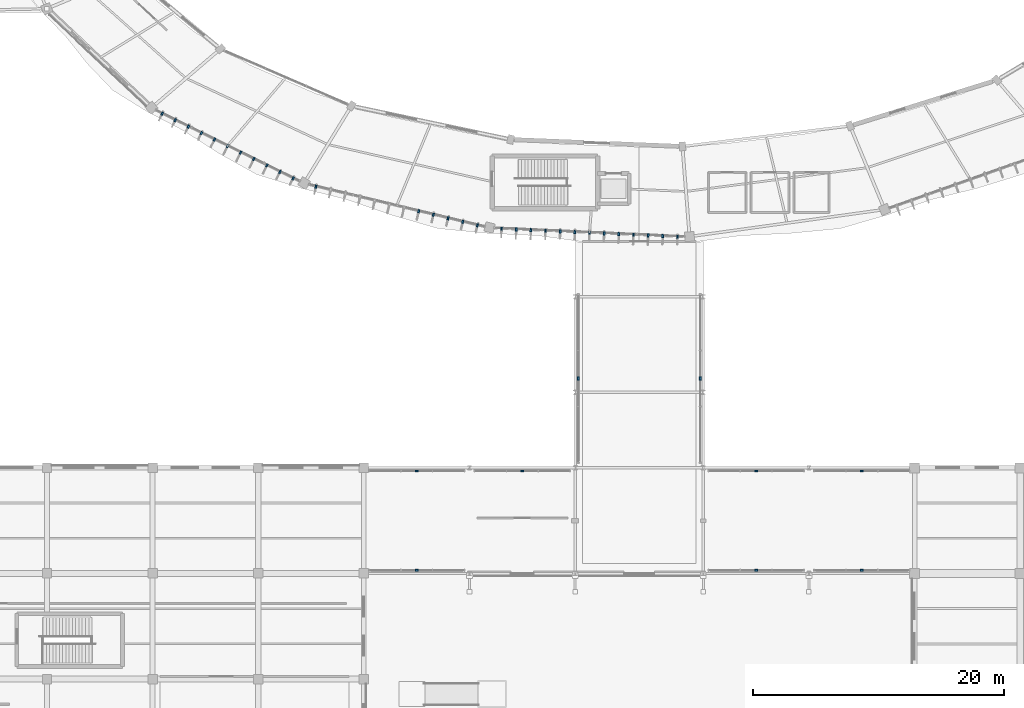
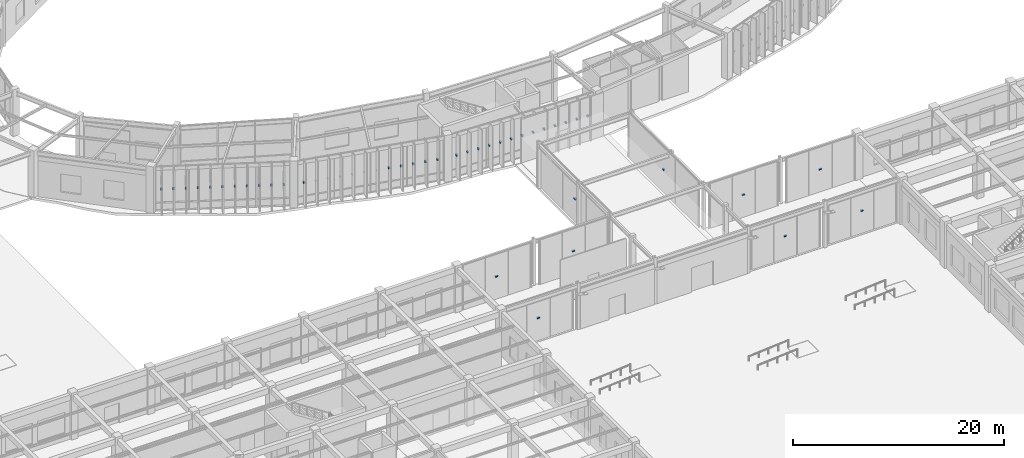
# One storey, part 138 of 157: 39 discrete accessories.
"""IFC4 building model written with IfcOpenShell, lengths in metres."""

from ifc_helpers import new_model, si_unit, direction, frame, origin, origin_2d, place, context, subcontext, project, spatial, rectangle, extrude, material, type_object, element, save


model = new_model("IFC4")

# Units and contexts
model_context = context("Model", 3, precision=1e-05, world=origin(), true_north=direction((0.0, 1.0)))
body_context = subcontext(model_context, "Body", "Model", "MODEL_VIEW")
ifc_project = project(units=[si_unit("LENGTHUNIT", "METRE"), si_unit("AREAUNIT", "SQUARE_METRE"), si_unit("VOLUMEUNIT", "CUBIC_METRE"), si_unit("PLANEANGLEUNIT", "RADIAN"), si_unit("MASSUNIT", "GRAM", prefix="KILO"), si_unit("THERMODYNAMICTEMPERATUREUNIT", "KELVIN"), si_unit("POWERUNIT", "WATT")], contexts=[model_context])

# Site, building, storey
site_placement = place(None, origin())
site = spatial("IfcSite", under=ifc_project, at=site_placement, CompositionType="ELEMENT")
building_placement = place(site_placement, origin())
building = spatial("IfcBuilding", under=site, at=building_placement, Name="Darbajah Civic Hall", CompositionType="ELEMENT")
storey_placement = place(building_placement, origin())
storey = spatial("IfcBuildingStorey", under=building, at=storey_placement, Name="L00", CompositionType="ELEMENT", Elevation=0.0)

# Discrete accessories
ifc_material = material(Name="Stainless Steel S355JR", Category="steel")
discrete_accessory_type = type_object("IfcDiscreteAccessoryType", Name="Stainless Facade Support Bracket", PredefinedType="BRACKET", material=ifc_material)
for number, where, z_axis, x_axis, name in (
    (1, (51.151611328125, 70.1630859375, 2.490234375), (0.0, 0.0, 1.0), (-0.442914717678, -0.89656374724, 0.0), "L00 shading fin bracket 12-1"),
    (2, (52.193115234375, 69.648681640625, 2.490234375), (0.0, 0.0, 1.0), (-0.442914717678, -0.89656374724, 0.0), "L00 shading fin bracket 12-2"),
    (3, (53.234619140625, 69.134033203125, 2.490234375), (0.0, 0.0, 1.0), (-0.442914717678, -0.89656374724, 0.0), "L00 shading fin bracket 12-3"),
    (4, (54.276123046875, 68.619384765625, 2.490234375), (0.0, 0.0, 1.0), (-0.442914717678, -0.89656374724, 0.0), "L00 shading fin bracket 12-4"),
    (5, (55.31787109375, 68.10498046875, 2.490234375), (0.0, 0.0, 1.0), (-0.442914717678, -0.89656374724, 0.0), "L00 shading fin bracket 12-5"),
    (6, (56.359375, 67.59033203125, 2.490234375), (0.0, 0.0, 1.0), (-0.442914717678, -0.89656374724, 0.0), "L00 shading fin bracket 12-6"),
    (7, (57.40087890625, 67.07568359375, 2.490234375), (0.0, 0.0, 1.0), (-0.442914717678, -0.89656374724, 0.0), "L00 shading fin bracket 12-7"),
    (8, (58.4423828125, 66.561279296875, 2.490234375), (0.0, 0.0, 1.0), (-0.442914717678, -0.89656374724, 0.0), "L00 shading fin bracket 12-8"),
    (9, (59.484130859375, 66.046630859375, 2.490234375), (0.0, 0.0, 1.0), (-0.442914717678, -0.89656374724, 0.0), "L00 shading fin bracket 12-9"),
    (10, (60.525634765625, 65.5322265625, 2.490234375), (0.0, 0.0, 1.0), (-0.442914717678, -0.89656374724, 0.0), "L00 shading fin bracket 12-10"),
    (11, (61.567138671875, 65.017578125, 2.490234375), (0.0, 0.0, 1.0), (-0.442914717678, -0.89656374724, 0.0), "L00 shading fin bracket 12-11"),
    (12, (63.388916015625, 64.361083984375, 2.490234375), (0.0, 0.0, 1.0), (-0.232936200179, -0.972492018808, 0.0), "L00 shading fin bracket 13-1"),
    (13, (71.560546875, 62.4033203125, 2.490234375), (0.0, 0.0, 1.0), (-0.232936200179, -0.972492018808, 0.0), "L00 shading fin bracket 13-8"),
    (14, (72.727783203125, 62.12353515625, 2.490234375), (0.0, 0.0, 1.0), (-0.232936200179, -0.972492018808, 0.0), "L00 shading fin bracket 13-9"),
    (15, (73.895263671875, 61.84375, 2.490234375), (0.0, 0.0, 1.0), (-0.232936200179, -0.972492018808, 0.0), "L00 shading fin bracket 13-10"),
    (16, (75.062744140625, 61.564208984375, 2.490234375), (0.0, 0.0, 1.0), (-0.232936200179, -0.972492018808, 0.0), "L00 shading fin bracket 13-11"),
    (17, (76.22998046875, 61.284423828125, 2.490234375), (0.0, 0.0, 1.0), (-0.232936200179, -0.972492018808, 0.0), "L00 shading fin bracket 13-12"),
    (18, (78.15087890625, 61.011474609375, 2.490234375), (0.0, 0.0, 1.0), (-0.045537340693, -0.998962637241, 0.0), "L00 shading fin bracket 14-1"),
    (19, (79.316650390625, 60.95849609375, 2.490234375), (0.0, 0.0, 1.0), (-0.045537340693, -0.998962637241, 0.0), "L00 shading fin bracket 14-2"),
    (20, (80.482421875, 60.905517578125, 2.490234375), (0.0, 0.0, 1.0), (-0.045537340693, -0.998962637241, 0.0), "L00 shading fin bracket 14-3"),
    (21, (81.648193359375, 60.852294921875, 2.490234375), (0.0, 0.0, 1.0), (-0.045537340693, -0.998962637241, 0.0), "L00 shading fin bracket 14-4"),
    (22, (82.813720703125, 60.79931640625, 2.490234375), (0.0, 0.0, 1.0), (-0.045537340693, -0.998962637241, 0.0), "L00 shading fin bracket 14-5"),
    (23, (83.9794921875, 60.74609375, 2.490234375), (0.0, 0.0, 1.0), (-0.045537340693, -0.998962637241, 0.0), "L00 shading fin bracket 14-6"),
    (24, (85.14501953125, 60.693115234375, 2.490234375), (0.0, 0.0, 1.0), (-0.045537340693, -0.998962637241, 0.0), "L00 shading fin bracket 14-7"),
    (25, (86.310791015625, 60.639892578125, 2.490234375), (0.0, 0.0, 1.0), (-0.045537340693, -0.998962637241, 0.0), "L00 shading fin bracket 14-8"),
    (26, (87.4765625, 60.5869140625, 2.490234375), (0.0, 0.0, 1.0), (-0.045537340693, -0.998962637241, 0.0), "L00 shading fin bracket 14-9"),
    (27, (88.64208984375, 60.53369140625, 2.490234375), (0.0, 0.0, 1.0), (-0.045537340693, -0.998962637241, 0.0), "L00 shading fin bracket 14-10"),
    (28, (89.807861328125, 60.480712890625, 2.490234375), (0.0, 0.0, 1.0), (-0.045537340693, -0.998962637241, 0.0), "L00 shading fin bracket 14-11"),
    (29, (90.973388671875, 60.427734375, 2.490234375), (0.0, 0.0, 1.0), (-0.045537340693, -0.998962637241, 0.0), "L00 shading fin bracket 14-12"),
    (30, (92.13916015625, 60.37451171875, 2.490234375), (0.0, 0.0, 1.0), (-0.045537340693, -0.998962637241, 0.0), "L00 shading fin bracket 14-13"),
    (31, (71.39990234375, 33.85009765625, 2.51025390625), (0.0, 0.0, 1.0), (1.0, 0.0, 0.0), "L00 jali screen bracket SW-S"),
    (32, (71.39990234375, 41.75, 2.51025390625), (0.0, 0.0, 1.0), (1.0, 0.0, 0.0), "L00 jali screen bracket SW-N"),
    (33, (79.800048828125, 41.75, 2.51025390625), (0.0, 0.0, 1.0), (1.0, 0.0, 0.0), "L00 jali screen bracket SW-N2"),
    (34, (98.39990234375, 33.85009765625, 2.51025390625), (0.0, 0.0, 1.0), (1.0, 0.0, 0.0), "L00 jali screen bracket SE-S"),
    (35, (106.800048828125, 33.85009765625, 2.51025390625), (0.0, 0.0, 1.0), (1.0, 0.0, 0.0), "L00 jali screen bracket SE-S2"),
    (36, (98.39990234375, 41.75, 2.51025390625), (0.0, 0.0, 1.0), (1.0, 0.0, 0.0), "L00 jali screen bracket SE-N"),
    (37, (106.800048828125, 41.75, 2.51025390625), (0.0, 0.0, 1.0), (1.0, 0.0, 0.0), "L00 jali screen bracket SE-N2"),
    (38, (84.25, 49.10009765625, 2.51025390625), (0.0, 0.0, 1.0), (0.0, 1.0, 0.0), "L00 jali screen bracket PW"),
    (39, (93.949951171875, 49.10009765625, 2.51025390625), (0.0, 0.0, 1.0), (0.0, 1.0, 0.0), "L00 jali screen bracket PE"),
):
    element("IfcDiscreteAccessory", number, at=place(storey_placement, frame(where, z_axis=z_axis, x_axis=x_axis)), inside=storey, type_object=discrete_accessory_type, Name=name, PredefinedType="BRACKET", context=body_context, shape_type="SweptSolid", body=[
        extrude(rectangle(XDim=0.260009765625, YDim=0.139892578125, at=origin_2d()), origin(), (0.0, 0.0, 1.0), 0.139892578125),
    ])

save(model, "model.ifc")
